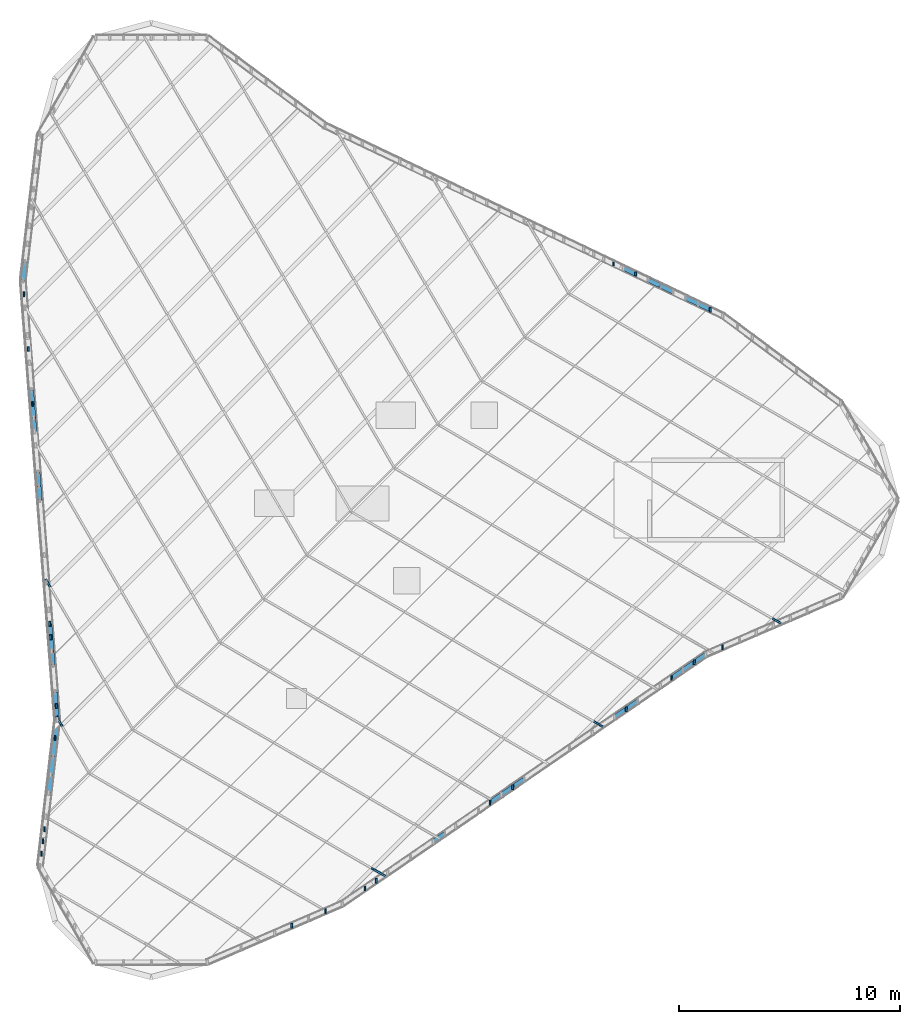
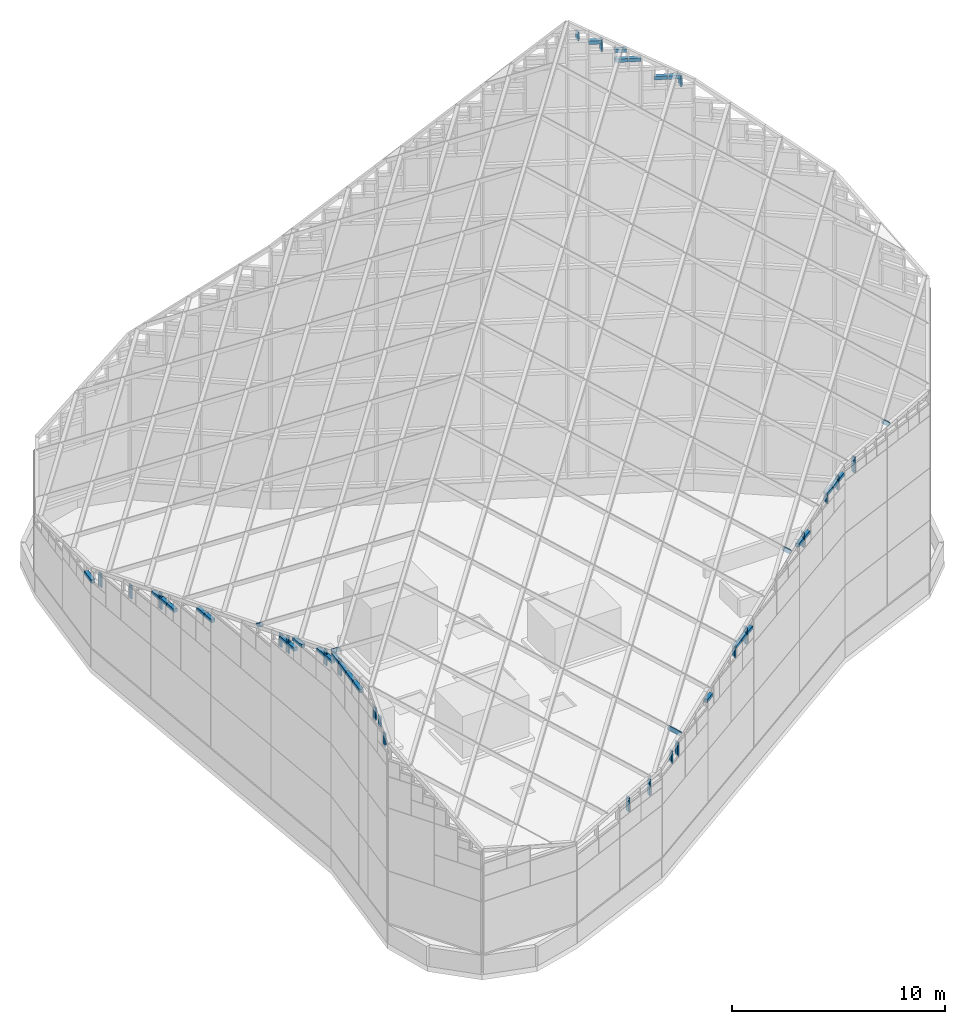
# One storey, part 11 of 29: 58 members, 1 element without a shape of its own.
"""IFC4 building model written with IfcOpenShell, lengths in metres."""

from ifc_helpers import new_model, si_unit, direction, frame, origin, origin_2d, place, context, subcontext, project, spatial, rectangle, extrude, material, material_profile, profile_set, type_object, element, aggregate, save


model = new_model("IFC4")

# Units and contexts
model_context = context("Model", 3, precision=1e-05, world=origin(), true_north=direction((0.0, 1.0)))
body_context = subcontext(model_context, "Body", "Model", "MODEL_VIEW")
ifc_project = project(units=[si_unit("LENGTHUNIT", "METRE"), si_unit("AREAUNIT", "SQUARE_METRE"), si_unit("VOLUMEUNIT", "CUBIC_METRE"), si_unit("PLANEANGLEUNIT", "RADIAN"), si_unit("MASSUNIT", "GRAM", prefix="KILO")], contexts=[model_context])

# Site, building, storey
site_placement = place(None, origin())
site = spatial("IfcSite", under=ifc_project, at=site_placement, CompositionType="ELEMENT")
building_placement = place(site_placement, origin())
building = spatial("IfcBuilding", under=site, at=building_placement, Name="Tanit Gate Tower", CompositionType="ELEMENT")
storey_placement = place(building_placement, frame((0.0, 0.0, 445.300048828125)))
storey = spatial("IfcBuildingStorey", under=building, at=storey_placement, Name="ROOF", CompositionType="ELEMENT", Elevation=445.300048828125)

# Curtain wall, members
ifc_material_1 = material(Name="Aluminium bronze anodised and glass", Category="aluminium")
curtain_wall_type = type_object("IfcCurtainWallType", Name="Curtain wall crown roof", PredefinedType="NOTDEFINED", material=ifc_material_1)
curtain_wall_placement = place(storey_placement, origin())
curtain_wall = element("IfcCurtainWall", 1, at=curtain_wall_placement, inside=storey, type_object=curtain_wall_type, Name="Crown lantern", PredefinedType="NOTDEFINED")
ifc_material_2 = material(Name="Aluminium bronze anodised", Category="aluminium")
ifc_material_profile_1 = material_profile(ifc_material_2, rectangle(XDim=0.080078125, YDim=0.219970703125, at=origin_2d()), Name="80x220 bronze rafter")
ifc_profile_set_1 = profile_set([ifc_material_profile_1], Name="Aluminium bronze anodised")
member_type_1 = type_object("IfcMemberType", Name="Mullion 80x220 crown roof", PredefinedType="MULLION", material=ifc_profile_set_1)
member_1_placement = place(storey_placement, frame((15.74951171875, 8.622314453125, 23.3017578125), z_axis=(0.0, 0.0, 1.0), x_axis=(1.0, 0.0, 0.0)))
member_1 = element("IfcMember", 2, at=member_1_placement, type_object=member_type_1, Name="Lantern clerestory bar 3.8.5", PredefinedType="MULLION", context=body_context, shape_type="SweptSolid", body=[
    extrude(rectangle(XDim=0.080078125, YDim=0.219970703125, at=origin_2d()), origin(), (0.0, 0.0, 1.0), 0.658203125),
])
member_2_placement = place(storey_placement, frame((12.37158203125, 10.236083984375, 25.505615234375), z_axis=(0.0, 0.0, 1.0), x_axis=(1.0, 0.0, 0.0)))
member_2 = element("IfcMember", 3, at=member_2_placement, type_object=member_type_1, Name="Lantern clerestory bar 3.8.17", PredefinedType="MULLION", context=body_context, shape_type="SweptSolid", body=[
    extrude(rectangle(XDim=0.080078125, YDim=0.219970703125, at=origin_2d()), origin(), (0.0, 0.0, 1.0), 0.7236328125),
])
member_3_placement = place(storey_placement, frame((11.36767578125, 10.7158203125, 26.199951171875), z_axis=(0.0, 0.0, 1.0), x_axis=(1.0, 0.0, 0.0)))
member_3 = element("IfcMember", 4, at=member_3_placement, type_object=member_type_1, Name="Lantern clerestory bar 4.9.3", PredefinedType="MULLION", context=body_context, shape_type="SweptSolid", body=[
    extrude(rectangle(XDim=0.080078125, YDim=0.219970703125, at=origin_2d()), origin(), (0.0, 0.0, 1.0), 0.5),
])
member_4_placement = place(storey_placement, frame((-15.342041015625, 9.328369140625, 4.98388671875), z_axis=(0.0, 0.0, 1.0), x_axis=(1.0, 0.0, 0.0)))
member_4 = element("IfcMember", 5, at=member_4_placement, type_object=member_type_1, Name="Lantern clerestory bar 14.2.5", PredefinedType="MULLION", context=body_context, shape_type="SweptSolid", body=[
    extrude(rectangle(XDim=0.080078125, YDim=0.219970703125, at=origin_2d()), origin(), (0.0, 0.0, 1.0), 0.783935546875),
])
member_5_placement = place(storey_placement, frame((-15.147705078125, 6.84033203125, 5.767822265625), z_axis=(0.0, 0.0, 1.0), x_axis=(1.0, 0.0, 0.0)))
member_5 = element("IfcMember", 6, at=member_5_placement, type_object=member_type_1, Name="Lantern clerestory bar 14.2.9", PredefinedType="MULLION", context=body_context, shape_type="SweptSolid", body=[
    extrude(rectangle(XDim=0.080078125, YDim=0.219970703125, at=origin_2d()), origin(), (0.0, 0.0, 1.0), 0.783935546875),
])
member_6_placement = place(storey_placement, frame((-14.953369140625, 4.35205078125, 6.614501953125), z_axis=(0.0, 0.0, 1.0), x_axis=(1.0, 0.0, 0.0)))
member_6 = element("IfcMember", 7, at=member_6_placement, type_object=member_type_1, Name="Lantern clerestory bar 15.2.5", PredefinedType="MULLION", context=body_context, shape_type="SweptSolid", body=[
    extrude(rectangle(XDim=0.080078125, YDim=0.219970703125, at=origin_2d()), origin(), (0.0, 0.0, 1.0), 0.9326171875),
])
member_7_placement = place(storey_placement, frame((-14.127685546875, -6.222900390625, 10.199951171875), z_axis=(0.0, 0.0, 1.0), x_axis=(1.0, 0.0, 0.0)))
member_7 = element("IfcMember", 8, at=member_7_placement, type_object=member_type_1, Name="Lantern clerestory bar 17.4.2", PredefinedType="MULLION", context=body_context, shape_type="SweptSolid", body=[
    extrude(rectangle(XDim=0.080078125, YDim=0.219970703125, at=origin_2d()), origin(), (0.0, 0.0, 1.0), 0.94580078125),
])
member_8_placement = place(storey_placement, frame((-14.17626953125, -5.600830078125, 10.199951171875), z_axis=(0.0, 0.0, 1.0), x_axis=(1.0, 0.0, 0.0)))
member_8 = element("IfcMember", 9, at=member_8_placement, type_object=member_type_1, Name="Lantern clerestory bar 17.4.4", PredefinedType="MULLION", context=body_context, shape_type="SweptSolid", body=[
    extrude(rectangle(XDim=0.080078125, YDim=0.219970703125, at=origin_2d()), origin(), (0.0, 0.0, 1.0), 0.734130859375),
])
member_9_placement = place(storey_placement, frame((-13.885009765625, -9.3330078125, 11.307861328125), z_axis=(0.0, 0.0, 1.0), x_axis=(1.0, 0.0, 0.0)))
member_9 = element("IfcMember", 10, at=member_9_placement, type_object=member_type_1, Name="Lantern clerestory bar 17.4.12", PredefinedType="MULLION", context=body_context, shape_type="SweptSolid", body=[
    extrude(rectangle(XDim=0.080078125, YDim=0.219970703125, at=origin_2d()), origin(), (0.0, 0.0, 1.0), 0.896240234375),
])
member_10_placement = place(storey_placement, frame((-13.933349609375, -10.783203125, 11.603271484375), z_axis=(0.0, 0.0, 1.0), x_axis=(1.0, 0.0, 0.0)))
member_10 = element("IfcMember", 11, at=member_10_placement, type_object=member_type_1, Name="Lantern clerestory bar 18.4.3", PredefinedType="MULLION", context=body_context, shape_type="SweptSolid", body=[
    extrude(rectangle(XDim=0.080078125, YDim=0.219970703125, at=origin_2d()), origin(), (0.0, 0.0, 1.0), 0.960205078125),
])
member_11_placement = place(storey_placement, frame((-14.546875, -16.022216796875, 10.949951171875), z_axis=(0.0, 0.0, 1.0), x_axis=(1.0, 0.0, 0.0)))
member_11 = element("IfcMember", 12, at=member_11_placement, type_object=member_type_1, Name="Lantern clerestory bar 20.4.4", PredefinedType="MULLION", context=body_context, shape_type="SweptSolid", body=[
    extrude(rectangle(XDim=0.080078125, YDim=0.219970703125, at=origin_2d()), origin(), (0.0, 0.0, 1.0), 0.75),
])
member_12_placement = place(storey_placement, frame((-14.481689453125, -15.465087890625, 11.699951171875), z_axis=(0.0, 0.0, 1.0), x_axis=(1.0, 0.0, 0.0)))
member_12 = element("IfcMember", 13, at=member_12_placement, type_object=member_type_1, Name="Lantern clerestory bar 20.4.5", PredefinedType="MULLION", context=body_context, shape_type="SweptSolid", body=[
    extrude(rectangle(XDim=0.080078125, YDim=0.219970703125, at=origin_2d()), origin(), (0.0, 0.0, 1.0), 0.612060546875),
])
member_13_placement = place(storey_placement, frame((-14.41650390625, -14.908203125, 11.699951171875), z_axis=(0.0, 0.0, 1.0), x_axis=(1.0, 0.0, 0.0)))
member_13 = element("IfcMember", 14, at=member_13_placement, type_object=member_type_1, Name="Lantern clerestory bar 20.4.7", PredefinedType="MULLION", context=body_context, shape_type="SweptSolid", body=[
    extrude(rectangle(XDim=0.080078125, YDim=0.219970703125, at=origin_2d()), origin(), (0.0, 0.0, 1.0), 0.75),
])
member_14_placement = place(storey_placement, frame((-3.215576171875, -19.29248046875, 5.210693359375), z_axis=(0.0, 0.0, 1.0), x_axis=(1.0, 0.0, 0.0)))
member_14 = element("IfcMember", 15, at=member_14_placement, type_object=member_type_1, Name="Lantern clerestory bar 24.2.3", PredefinedType="MULLION", context=body_context, shape_type="SweptSolid", body=[
    extrude(rectangle(XDim=0.080078125, YDim=0.219970703125, at=origin_2d()), origin(), (0.0, 0.0, 1.0), 0.822998046875),
])
member_15_placement = place(storey_placement, frame((-1.6865234375, -18.63330078125, 5.210693359375), z_axis=(0.0, 0.0, 1.0), x_axis=(1.0, 0.0, 0.0)))
member_15 = element("IfcMember", 16, at=member_15_placement, type_object=member_type_1, Name="Lantern clerestory bar 24.2.7", PredefinedType="MULLION", context=body_context, shape_type="SweptSolid", body=[
    extrude(rectangle(XDim=0.080078125, YDim=0.219970703125, at=origin_2d()), origin(), (0.0, 0.0, 1.0), 0.9482421875),
])
member_16_placement = place(storey_placement, frame((0.106689453125, -17.59765625, 5.815185546875), z_axis=(0.0, 0.0, 1.0), x_axis=(1.0, 0.0, 0.0)))
member_16 = element("IfcMember", 17, at=member_16_placement, type_object=member_type_1, Name="Lantern clerestory bar 25.2.3", PredefinedType="MULLION", context=body_context, shape_type="SweptSolid", body=[
    extrude(rectangle(XDim=0.080078125, YDim=0.219970703125, at=origin_2d()), origin(), (0.0, 0.0, 1.0), 0.708740234375),
])
member_17_placement = place(storey_placement, frame((0.62109375, -17.24462890625, 5.815185546875), z_axis=(0.0, 0.0, 1.0), x_axis=(1.0, 0.0, 0.0)))
member_17 = element("IfcMember", 18, at=member_17_placement, type_object=member_type_1, Name="Lantern clerestory bar 25.2.5", PredefinedType="MULLION", context=body_context, shape_type="SweptSolid", body=[
    extrude(rectangle(XDim=0.080078125, YDim=0.219970703125, at=origin_2d()), origin(), (0.0, 0.0, 1.0), 0.8076171875),
])
member_18_placement = place(storey_placement, frame((5.765380859375, -13.713623046875, 7.529541015625), z_axis=(0.0, 0.0, 1.0), x_axis=(1.0, 0.0, 0.0)))
member_18 = element("IfcMember", 19, at=member_18_placement, type_object=member_type_1, Name="Lantern clerestory bar 26.2.11", PredefinedType="MULLION", context=body_context, shape_type="SweptSolid", body=[
    extrude(rectangle(XDim=0.080078125, YDim=0.219970703125, at=origin_2d()), origin(), (0.0, 0.0, 1.0), 0.656494140625),
])
member_19_placement = place(storey_placement, frame((6.794189453125, -13.007568359375, 7.529541015625), z_axis=(0.0, 0.0, 1.0), x_axis=(1.0, 0.0, 0.0)))
member_19 = element("IfcMember", 20, at=member_19_placement, type_object=member_type_1, Name="Lantern clerestory bar 26.2.14", PredefinedType="MULLION", context=body_context, shape_type="SweptSolid", body=[
    extrude(rectangle(XDim=0.080078125, YDim=0.219970703125, at=origin_2d()), origin(), (0.0, 0.0, 1.0), 0.958740234375),
])
member_20_placement = place(storey_placement, frame((11.9384765625, -9.4765625, 9.12841796875), z_axis=(0.0, 0.0, 1.0), x_axis=(1.0, 0.0, 0.0)))
member_20 = element("IfcMember", 21, at=member_20_placement, type_object=member_type_1, Name="Lantern clerestory bar 28.3.5", PredefinedType="MULLION", context=body_context, shape_type="SweptSolid", body=[
    extrude(rectangle(XDim=0.080078125, YDim=0.219970703125, at=origin_2d()), origin(), (0.0, 0.0, 1.0), 0.870849609375),
])
member_21_placement = place(storey_placement, frame((13.996337890625, -8.064453125, 10.0927734375), z_axis=(0.0, 0.0, 1.0), x_axis=(1.0, 0.0, 0.0)))
member_21 = element("IfcMember", 22, at=member_21_placement, type_object=member_type_1, Name="Lantern clerestory bar 28.3.12", PredefinedType="MULLION", context=body_context, shape_type="SweptSolid", body=[
    extrude(rectangle(XDim=0.080078125, YDim=0.219970703125, at=origin_2d()), origin(), (0.0, 0.0, 1.0), 0.5107421875),
])
member_22_placement = place(storey_placement, frame((15.025146484375, -7.358154296875, 10.0927734375), z_axis=(0.0, 0.0, 1.0), x_axis=(1.0, 0.0, 0.0)))
member_22 = element("IfcMember", 23, at=member_22_placement, type_object=member_type_1, Name="Lantern clerestory bar 28.3.15", PredefinedType="MULLION", context=body_context, shape_type="SweptSolid", body=[
    extrude(rectangle(XDim=0.080078125, YDim=0.219970703125, at=origin_2d()), origin(), (0.0, 0.0, 1.0), 0.81298828125),
])
member_23_placement = place(storey_placement, frame((16.30517578125, -6.675048828125, 10.199951171875), z_axis=(0.0, 0.0, 1.0), x_axis=(1.0, 0.0, 0.0)))
member_23 = element("IfcMember", 24, at=member_23_placement, type_object=member_type_1, Name="Lantern clerestory bar 29.4.2", PredefinedType="MULLION", context=body_context, shape_type="SweptSolid", body=[
    extrude(rectangle(XDim=0.080078125, YDim=0.219970703125, at=origin_2d()), origin(), (0.0, 0.0, 1.0), 0.919677734375),
])
member_24_placement = place(storey_placement, frame((-13.63623046875, -10.20556640625, 12.650634765625), z_axis=(-0.420270234362, 0.72355296489, -0.547580165005), x_axis=(-0.864714878347, -0.502263057735, 0.0)))
member_24 = element("IfcMember", 25, at=member_24_placement, type_object=member_type_1, Name="Lantern rafter E2", PredefinedType="MULLION", context=body_context, shape_type="SweptSolid", body=[
    extrude(rectangle(XDim=0.080078125, YDim=0.219970703125, at=origin_2d()), origin(), (0.0, 0.0, 1.0), 0.49658203125),
])
member_25_placement = place(storey_placement, frame((-14.181640625, -3.88916015625, 10.4580078125), z_axis=(-0.420098076482, 0.723233097073, -0.548134557782), x_axis=(-0.86470779803, -0.502275247277, 0.0)))
member_25 = element("IfcMember", 26, at=member_25_placement, type_object=member_type_1, Name="Lantern rafter E3", PredefinedType="MULLION", context=body_context, shape_type="SweptSolid", body=[
    extrude(rectangle(XDim=0.080078125, YDim=0.219970703125, at=origin_2d()), origin(), (0.0, 0.0, 1.0), 0.352783203125),
])
member_26_placement = place(storey_placement, frame((0.45166015625, -16.702392578125, 7.17138671875), z_axis=(0.723510396118, -0.42003703598, -0.54781529288), x_axis=(0.502076718378, 0.864823085297, 0.0)))
member_26 = element("IfcMember", 27, at=member_26_placement, type_object=member_type_1, Name="Lantern rafter W5", PredefinedType="MULLION", context=body_context, shape_type="SweptSolid", body=[
    extrude(rectangle(XDim=0.080078125, YDim=0.219970703125, at=origin_2d()), origin(), (0.0, 0.0, 1.0), 0.718505859375),
])
member_27_placement = place(storey_placement, frame((10.523193359375, -10.061767578125, 9.90380859375), z_axis=(0.723690093717, -0.420076315408, -0.547547749049), x_axis=(0.502018579447, 0.864856835488, 0.0)))
member_27 = element("IfcMember", 28, at=member_27_placement, type_object=member_type_1, Name="Lantern rafter W9", PredefinedType="MULLION", context=body_context, shape_type="SweptSolid", body=[
    extrude(rectangle(XDim=0.080078125, YDim=0.219970703125, at=origin_2d()), origin(), (0.0, 0.0, 1.0), 0.42138671875),
])
member_28_placement = place(storey_placement, frame((18.619384765625, -5.396240234375, 11.54248046875), z_axis=(0.723610887175, -0.420304742024, -0.547477129928), x_axis=(0.502263829702, 0.864714429956, 0.0)))
member_28 = element("IfcMember", 29, at=member_28_placement, type_object=member_type_1, Name="Lantern rafter W12", PredefinedType="MULLION", context=body_context, shape_type="SweptSolid", body=[
    extrude(rectangle(XDim=0.080078125, YDim=0.219970703125, at=origin_2d()), origin(), (0.0, 0.0, 1.0), 0.384033203125),
])
ifc_material_3 = material(Name="Aluminium bronze anodised", Category="aluminium")
ifc_material_profile_2 = material_profile(ifc_material_3, rectangle(XDim=0.199951171875, YDim=0.199951171875, at=origin_2d()), Name="200x200 bronze transom")
ifc_profile_set_2 = profile_set([ifc_material_profile_2], Name="Aluminium bronze anodised")
member_type_2 = type_object("IfcMemberType", Name="Transom 200x200 crown roof", PredefinedType="USERDEFINED", material=ifc_profile_set_2)
member_29_placement = place(storey_placement, frame((15.74951171875, 8.622314453125, 23.852783203125), z_axis=(-0.902266608691, 0.431178578828, 0.0), x_axis=(-0.431178578828, -0.902266608691, 0.0)))
member_29 = element("IfcMember", 30, at=member_29_placement, type_object=member_type_2, Name="Lantern clerestory bar 3.8.6", ObjectType="TRANSOM", PredefinedType="USERDEFINED", context=body_context, shape_type="SweptSolid", body=[
    extrude(rectangle(XDim=0.199951171875, YDim=0.199951171875, at=origin_2d()), origin(), (0.0, 0.0, 1.0), 0.6240234375),
])
member_30_placement = place(storey_placement, frame((15.1865234375, 8.891357421875, 23.852783203125), z_axis=(-0.902418796695, 0.430859971883, 0.0), x_axis=(-0.430859971883, -0.902418796695, 0.0)))
member_30 = element("IfcMember", 31, at=member_30_placement, type_object=member_type_2, Name="Lantern clerestory bar 3.8.9", ObjectType="TRANSOM", PredefinedType="USERDEFINED", context=body_context, shape_type="SweptSolid", body=[
    extrude(rectangle(XDim=0.199951171875, YDim=0.199951171875, at=origin_2d()), origin(), (0.0, 0.0, 1.0), 0.623779296875),
])
member_31_placement = place(storey_placement, frame((13.448974609375, 9.721435546875, 25.505615234375), z_axis=(-0.902416702449, 0.43086435817, 0.0), x_axis=(-0.43086435817, -0.902416702449, 0.0)))
member_31 = element("IfcMember", 32, at=member_31_placement, type_object=member_type_2, Name="Lantern clerestory bar 3.8.12", ObjectType="TRANSOM", PredefinedType="USERDEFINED", context=body_context, shape_type="SweptSolid", body=[
    extrude(rectangle(XDim=0.199951171875, YDim=0.199951171875, at=origin_2d()), origin(), (0.0, 0.0, 1.0), 0.570068359375),
])
member_32_placement = place(storey_placement, frame((14.060546875, 9.42919921875, 24.95458984375), z_axis=(-0.902266608691, 0.431178578828, 0.0), x_axis=(-0.431178578828, -0.902266608691, 0.0)))
member_32 = element("IfcMember", 33, at=member_32_placement, type_object=member_type_2, Name="Lantern clerestory bar 3.8.14", ObjectType="TRANSOM", PredefinedType="USERDEFINED", context=body_context, shape_type="SweptSolid", body=[
    extrude(rectangle(XDim=0.199951171875, YDim=0.199951171875, at=origin_2d()), origin(), (0.0, 0.0, 1.0), 0.6240234375),
])
member_33_placement = place(storey_placement, frame((13.49755859375, 9.6982421875, 24.95458984375), z_axis=(-0.902418796695, 0.430859971883, 0.0), x_axis=(-0.430859971883, -0.902418796695, 0.0)))
member_33 = element("IfcMember", 34, at=member_33_placement, type_object=member_type_2, Name="Lantern clerestory bar 3.8.15", ObjectType="TRANSOM", PredefinedType="USERDEFINED", context=body_context, shape_type="SweptSolid", body=[
    extrude(rectangle(XDim=0.199951171875, YDim=0.199951171875, at=origin_2d()), origin(), (0.0, 0.0, 1.0), 0.623779296875),
])
member_34_placement = place(storey_placement, frame((12.37158203125, 10.236083984375, 26.056396484375), z_axis=(-0.902266608691, 0.431178578828, 0.0), x_axis=(-0.431178578828, -0.902266608691, 0.0)))
member_34 = element("IfcMember", 35, at=member_34_placement, type_object=member_type_2, Name="Lantern clerestory bar 3.8.18", ObjectType="TRANSOM", PredefinedType="USERDEFINED", context=body_context, shape_type="SweptSolid", body=[
    extrude(rectangle(XDim=0.199951171875, YDim=0.199951171875, at=origin_2d()), origin(), (0.0, 0.0, 1.0), 0.6240234375),
])
member_35_placement = place(storey_placement, frame((-15.293701171875, 10.77734375, 4.921142578125), z_axis=(-0.116126610503, -0.993234418621, 0.0), x_axis=(0.993234418621, -0.116126610503, 0.0)))
member_35 = element("IfcMember", 36, at=member_35_placement, type_object=member_type_2, Name="Lantern clerestory bar 13.2.7", ObjectType="TRANSOM", PredefinedType="USERDEFINED", context=body_context, shape_type="SweptSolid", body=[
    extrude(rectangle(XDim=0.199951171875, YDim=0.199951171875, at=origin_2d()), origin(), (0.0, 0.0, 1.0), 0.83251953125),
])
member_36_placement = place(storey_placement, frame((-15.001953125, 4.97412109375, 7.218017578125), z_axis=(0.07786336105, -0.996964039976, 0.0), x_axis=(0.996964039976, 0.07786336105, 0.0)))
member_36 = element("IfcMember", 37, at=member_36_placement, type_object=member_type_2, Name="Lantern clerestory bar 15.2.6", ObjectType="TRANSOM", PredefinedType="USERDEFINED", context=body_context, shape_type="SweptSolid", body=[
    extrude(rectangle(XDim=0.199951171875, YDim=0.199951171875, at=origin_2d()), origin(), (0.0, 0.0, 1.0), 0.6240234375),
])
member_37_placement = place(storey_placement, frame((-14.953369140625, 4.35205078125, 7.218017578125), z_axis=(0.07786336105, -0.996964039976, 0.0), x_axis=(0.996964039976, 0.07786336105, 0.0)))
member_37 = element("IfcMember", 38, at=member_37_placement, type_object=member_type_2, Name="Lantern clerestory bar 15.2.7", ObjectType="TRANSOM", PredefinedType="USERDEFINED", context=body_context, shape_type="SweptSolid", body=[
    extrude(rectangle(XDim=0.199951171875, YDim=0.199951171875, at=origin_2d()), origin(), (0.0, 0.0, 1.0), 0.6240234375),
])
member_38_placement = place(storey_placement, frame((-14.90478515625, 3.72998046875, 7.218017578125), z_axis=(0.07786336105, -0.996964039976, 0.0), x_axis=(0.996964039976, 0.07786336105, 0.0)))
member_38 = element("IfcMember", 39, at=member_38_placement, type_object=member_type_2, Name="Lantern clerestory bar 15.2.10", ObjectType="TRANSOM", PredefinedType="USERDEFINED", context=body_context, shape_type="SweptSolid", body=[
    extrude(rectangle(XDim=0.199951171875, YDim=0.199951171875, at=origin_2d()), origin(), (0.0, 0.0, 1.0), 0.6240234375),
])
member_39_placement = place(storey_placement, frame((-14.71044921875, 1.24169921875, 8.42529296875), z_axis=(0.077474442308, -0.996994338394, 0.0), x_axis=(0.996994338394, 0.077474442308, 0.0)))
member_39 = element("IfcMember", 40, at=member_39_placement, type_object=member_type_2, Name="Lantern clerestory bar 15.2.16", ObjectType="TRANSOM", PredefinedType="USERDEFINED", context=body_context, shape_type="SweptSolid", body=[
    extrude(rectangle(XDim=0.199951171875, YDim=0.199951171875, at=origin_2d()), origin(), (0.0, 0.0, 1.0), 0.6240234375),
])
member_40_placement = place(storey_placement, frame((-14.662109375, 0.61962890625, 8.42529296875), z_axis=(0.07786336105, -0.996964039976, 0.0), x_axis=(0.996964039976, 0.07786336105, 0.0)))
member_40 = element("IfcMember", 41, at=member_40_placement, type_object=member_type_2, Name="Lantern clerestory bar 15.2.17", ObjectType="TRANSOM", PredefinedType="USERDEFINED", context=body_context, shape_type="SweptSolid", body=[
    extrude(rectangle(XDim=0.199951171875, YDim=0.199951171875, at=origin_2d()), origin(), (0.0, 0.0, 1.0), 0.6240234375),
])
member_41_placement = place(storey_placement, frame((-14.17626953125, -5.600830078125, 10.75390625), z_axis=(0.07786336105, -0.996964039976, 0.0), x_axis=(0.996964039976, 0.07786336105, 0.0)))
member_41 = element("IfcMember", 42, at=member_41_placement, type_object=member_type_2, Name="Lantern clerestory bar 17.4.5", ObjectType="TRANSOM", PredefinedType="USERDEFINED", context=body_context, shape_type="SweptSolid", body=[
    extrude(rectangle(XDim=0.199951171875, YDim=0.199951171875, at=origin_2d()), origin(), (0.0, 0.0, 1.0), 0.6240234375),
])
member_42_placement = place(storey_placement, frame((-14.090576171875, -6.699462890625, 11.307861328125), z_axis=(0.078005856738, -0.99695290075, 0.0), x_axis=(0.99695290075, 0.078005856738, 0.0)))
member_42 = element("IfcMember", 43, at=member_42_placement, type_object=member_type_2, Name="Lantern clerestory bar 17.4.6", ObjectType="TRANSOM", PredefinedType="USERDEFINED", context=body_context, shape_type="SweptSolid", body=[
    extrude(rectangle(XDim=0.199951171875, YDim=0.199951171875, at=origin_2d()), origin(), (0.0, 0.0, 1.0), 0.77001953125),
])
member_43_placement = place(storey_placement, frame((-14.127685546875, -6.222900390625, 10.75390625), z_axis=(0.07786336105, -0.996964039976, 0.0), x_axis=(0.996964039976, 0.07786336105, 0.0)))
member_43 = element("IfcMember", 44, at=member_43_placement, type_object=member_type_2, Name="Lantern clerestory bar 17.4.8", ObjectType="TRANSOM", PredefinedType="USERDEFINED", context=body_context, shape_type="SweptSolid", body=[
    extrude(rectangle(XDim=0.199951171875, YDim=0.199951171875, at=origin_2d()), origin(), (0.0, 0.0, 1.0), 0.6240234375),
])
member_44_placement = place(storey_placement, frame((-13.93359375, -8.7109375, 11.86181640625), z_axis=(0.07786336105, -0.996964039976, 0.0), x_axis=(0.996964039976, 0.07786336105, 0.0)))
member_44 = element("IfcMember", 45, at=member_44_placement, type_object=member_type_2, Name="Lantern clerestory bar 17.4.13", ObjectType="TRANSOM", PredefinedType="USERDEFINED", context=body_context, shape_type="SweptSolid", body=[
    extrude(rectangle(XDim=0.199951171875, YDim=0.199951171875, at=origin_2d()), origin(), (0.0, 0.0, 1.0), 0.6240234375),
])
member_45_placement = place(storey_placement, frame((-13.885009765625, -9.3330078125, 11.86181640625), z_axis=(0.07786336105, -0.996964039976, 0.0), x_axis=(0.996964039976, 0.07786336105, 0.0)))
member_45 = element("IfcMember", 46, at=member_45_placement, type_object=member_type_2, Name="Lantern clerestory bar 17.4.14", ObjectType="TRANSOM", PredefinedType="USERDEFINED", context=body_context, shape_type="SweptSolid", body=[
    extrude(rectangle(XDim=0.199951171875, YDim=0.199951171875, at=origin_2d()), origin(), (0.0, 0.0, 1.0), 0.6240234375),
])
member_46_placement = place(storey_placement, frame((-13.83642578125, -9.955078125, 12.304931640625), z_axis=(-0.116246607157, -0.993220381549, 0.0), x_axis=(0.993220381549, -0.116246607157, 0.0)))
member_46 = element("IfcMember", 47, at=member_46_placement, type_object=member_type_2, Name="Lantern clerestory bar 18.4.4", ObjectType="TRANSOM", PredefinedType="USERDEFINED", context=body_context, shape_type="SweptSolid", body=[
    extrude(rectangle(XDim=0.199951171875, YDim=0.199951171875, at=origin_2d()), origin(), (0.0, 0.0, 1.0), 0.833740234375),
])
member_47_placement = place(storey_placement, frame((-13.933349609375, -10.783203125, 12.304931640625), z_axis=(-0.116280424629, -0.993216422965, 0.0), x_axis=(0.993216422965, -0.116280424629, 0.0)))
member_47 = element("IfcMember", 48, at=member_47_placement, type_object=member_type_2, Name="Lantern clerestory bar 18.4.5", ObjectType="TRANSOM", PredefinedType="USERDEFINED", context=body_context, shape_type="SweptSolid", body=[
    extrude(rectangle(XDim=0.199951171875, YDim=0.199951171875, at=origin_2d()), origin(), (0.0, 0.0, 1.0), 0.83349609375),
])
member_48_placement = place(storey_placement, frame((-14.0302734375, -11.611083984375, 12.304931640625), z_axis=(-0.116246607157, -0.993220381549, 0.0), x_axis=(0.993220381549, -0.116246607157, 0.0)))
member_48 = element("IfcMember", 49, at=member_48_placement, type_object=member_type_2, Name="Lantern clerestory bar 18.4.8", ObjectType="TRANSOM", PredefinedType="USERDEFINED", context=body_context, shape_type="SweptSolid", body=[
    extrude(rectangle(XDim=0.199951171875, YDim=0.199951171875, at=origin_2d()), origin(), (0.0, 0.0, 1.0), 0.833740234375),
])
member_49_placement = place(storey_placement, frame((-14.127197265625, -12.439208984375, 12.304931640625), z_axis=(-0.116280424629, -0.993216422965, 0.0), x_axis=(0.993216422965, -0.116280424629, 0.0)))
member_49 = element("IfcMember", 50, at=member_49_placement, type_object=member_type_2, Name="Lantern clerestory bar 18.4.9", ObjectType="TRANSOM", PredefinedType="USERDEFINED", context=body_context, shape_type="SweptSolid", body=[
    extrude(rectangle(XDim=0.199951171875, YDim=0.199951171875, at=origin_2d()), origin(), (0.0, 0.0, 1.0), 0.83349609375),
])
member_50_placement = place(storey_placement, frame((3.193359375, -15.47900390625, 6.974609375), z_axis=(0.824509772864, 0.565847713128, 0.0), x_axis=(-0.565847713128, 0.824509772864, 0.0)))
member_50 = element("IfcMember", 51, at=member_50_placement, type_object=member_type_2, Name="Lantern clerestory bar 26.2.6", ObjectType="TRANSOM", PredefinedType="USERDEFINED", context=body_context, shape_type="SweptSolid", body=[
    extrude(rectangle(XDim=0.199951171875, YDim=0.199951171875, at=origin_2d()), origin(), (0.0, 0.0, 1.0), 0.623779296875),
])
member_51_placement = place(storey_placement, frame((5.765380859375, -13.713623046875, 8.08447265625), z_axis=(0.824509772864, 0.565847713128, 0.0), x_axis=(-0.565847713128, 0.824509772864, 0.0)))
member_51 = element("IfcMember", 52, at=member_51_placement, type_object=member_type_2, Name="Lantern clerestory bar 26.2.12", ObjectType="TRANSOM", PredefinedType="USERDEFINED", context=body_context, shape_type="SweptSolid", body=[
    extrude(rectangle(XDim=0.199951171875, YDim=0.199951171875, at=origin_2d()), origin(), (0.0, 0.0, 1.0), 0.623779296875),
])
member_52_placement = place(storey_placement, frame((6.27978515625, -13.360595703125, 8.08447265625), z_axis=(0.824509772864, 0.565847713128, 0.0), x_axis=(-0.565847713128, 0.824509772864, 0.0)))
member_52 = element("IfcMember", 53, at=member_52_placement, type_object=member_type_2, Name="Lantern clerestory bar 26.2.15", ObjectType="TRANSOM", PredefinedType="USERDEFINED", context=body_context, shape_type="SweptSolid", body=[
    extrude(rectangle(XDim=0.199951171875, YDim=0.199951171875, at=origin_2d()), origin(), (0.0, 0.0, 1.0), 0.623779296875),
])
member_53_placement = place(storey_placement, frame((6.794189453125, -13.007568359375, 8.08447265625), z_axis=(0.824635006285, 0.565665189321, 0.0), x_axis=(-0.565665189321, 0.824635006285, 0.0)))
member_53 = element("IfcMember", 54, at=member_53_placement, type_object=member_type_2, Name="Lantern clerestory bar 26.2.16", ObjectType="TRANSOM", PredefinedType="USERDEFINED", context=body_context, shape_type="SweptSolid", body=[
    extrude(rectangle(XDim=0.199951171875, YDim=0.199951171875, at=origin_2d()), origin(), (0.0, 0.0, 1.0), 0.6240234375),
])
member_54_placement = place(storey_placement, frame((11.424072265625, -9.829833984375, 9.610595703125), z_axis=(0.824327201558, 0.566113650049, 0.0), x_axis=(-0.566113650049, 0.824327201558, 0.0)))
member_54 = element("IfcMember", 55, at=member_54_placement, type_object=member_type_2, Name="Lantern clerestory bar 28.3.6", ObjectType="TRANSOM", PredefinedType="USERDEFINED", context=body_context, shape_type="SweptSolid", body=[
    extrude(rectangle(XDim=0.199951171875, YDim=0.199951171875, at=origin_2d()), origin(), (0.0, 0.0, 1.0), 0.6240234375),
])
member_55_placement = place(storey_placement, frame((11.9384765625, -9.4765625, 9.610595703125), z_axis=(0.824635006285, 0.565665189321, 0.0), x_axis=(-0.565665189321, 0.824635006285, 0.0)))
member_55 = element("IfcMember", 56, at=member_55_placement, type_object=member_type_2, Name="Lantern clerestory bar 28.3.7", ObjectType="TRANSOM", PredefinedType="USERDEFINED", context=body_context, shape_type="SweptSolid", body=[
    extrude(rectangle(XDim=0.199951171875, YDim=0.199951171875, at=origin_2d()), origin(), (0.0, 0.0, 1.0), 0.6240234375),
])
member_56_placement = place(storey_placement, frame((13.996337890625, -8.064453125, 10.57470703125), z_axis=(0.824327201558, 0.566113650049, 0.0), x_axis=(-0.566113650049, 0.824327201558, 0.0)))
member_56 = element("IfcMember", 57, at=member_56_placement, type_object=member_type_2, Name="Lantern clerestory bar 28.3.13", ObjectType="TRANSOM", PredefinedType="USERDEFINED", context=body_context, shape_type="SweptSolid", body=[
    extrude(rectangle(XDim=0.199951171875, YDim=0.199951171875, at=origin_2d()), origin(), (0.0, 0.0, 1.0), 0.6240234375),
])
member_57_placement = place(storey_placement, frame((14.5107421875, -7.711181640625, 10.57470703125), z_axis=(0.824509772864, 0.565847713128, 0.0), x_axis=(-0.565847713128, 0.824509772864, 0.0)))
member_57 = element("IfcMember", 58, at=member_57_placement, type_object=member_type_2, Name="Lantern clerestory bar 28.3.16", ObjectType="TRANSOM", PredefinedType="USERDEFINED", context=body_context, shape_type="SweptSolid", body=[
    extrude(rectangle(XDim=0.199951171875, YDim=0.199951171875, at=origin_2d()), origin(), (0.0, 0.0, 1.0), 0.623779296875),
])
member_58_placement = place(storey_placement, frame((15.025146484375, -7.358154296875, 10.57470703125), z_axis=(0.824509772864, 0.565847713128, 0.0), x_axis=(-0.565847713128, 0.824509772864, 0.0)))
member_58 = element("IfcMember", 59, at=member_58_placement, type_object=member_type_2, Name="Lantern clerestory bar 28.3.17", ObjectType="TRANSOM", PredefinedType="USERDEFINED", context=body_context, shape_type="SweptSolid", body=[
    extrude(rectangle(XDim=0.199951171875, YDim=0.199951171875, at=origin_2d()), origin(), (0.0, 0.0, 1.0), 0.623779296875),
])
aggregate(curtain_wall, [member_1, member_29, member_30, member_31, member_32, member_33, member_2, member_34, member_3, member_35, member_4, member_5, member_6, member_36, member_37, member_38, member_39, member_40, member_7, member_8, member_41, member_42, member_43, member_9, member_44, member_45, member_10, member_46, member_47, member_48, member_49, member_11, member_12, member_13, member_14, member_15, member_16, member_17, member_50, member_18, member_51, member_19, member_52, member_53, member_20, member_54, member_55, member_21, member_56, member_22, member_57, member_58, member_23, member_24, member_25, member_26, member_27, member_28])

save(model, "model.ifc")
